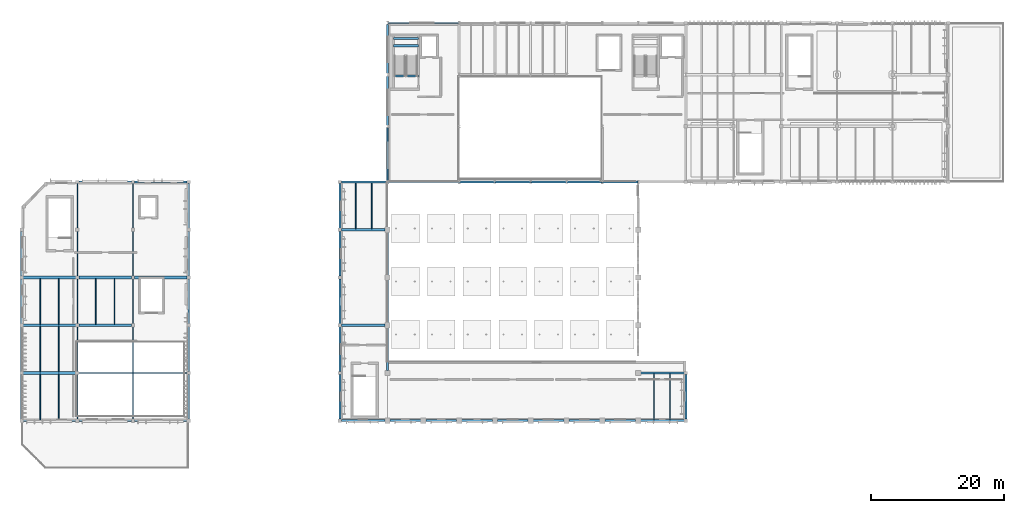
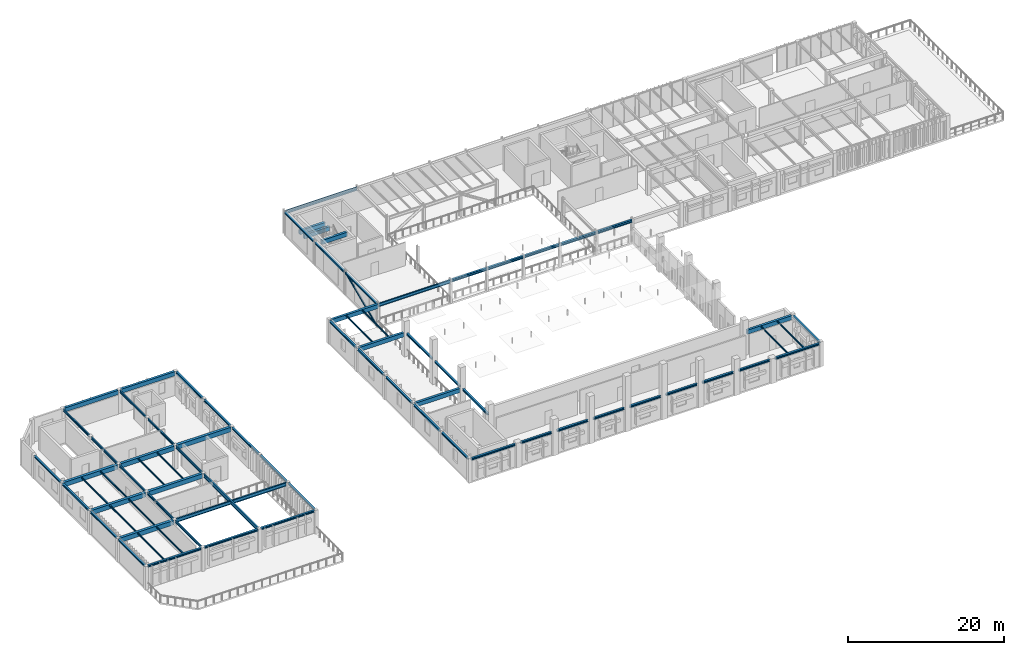
# One storey, part 6 of 44: 77 beams, 1 member.
"""IFC4 building model written with IfcOpenShell, lengths in metres."""

from ifc_helpers import new_model, si_unit, direction, frame, origin, origin_2d, place, context, subcontext, project, spatial, rectangle, hollow_circle, i_section, extrude, material, material_profile, profile_set, type_object, element, save


model = new_model("IFC4")

# Units and contexts
model_context = context("Model", 3, precision=1e-05, world=origin(), true_north=direction((0.0, 1.0)))
body_context = subcontext(model_context, "Body", "Model", "MODEL_VIEW")
ifc_project = project(units=[si_unit("LENGTHUNIT", "METRE"), si_unit("AREAUNIT", "SQUARE_METRE"), si_unit("VOLUMEUNIT", "CUBIC_METRE"), si_unit("PLANEANGLEUNIT", "RADIAN"), si_unit("MASSUNIT", "GRAM", prefix="KILO")], contexts=[model_context])

# Site, building, storey
site_placement = place(None, origin())
site = spatial("IfcSite", under=ifc_project, at=site_placement, CompositionType="ELEMENT")
building_placement = place(site_placement, origin())
building = spatial("IfcBuilding", under=site, at=building_placement, Name="Tazoul Stagehouse", CompositionType="ELEMENT")
storey_placement = place(building_placement, frame((0.0, 0.0, 13.199951171875)))
storey = spatial("IfcBuildingStorey", under=building, at=storey_placement, Name="L03", CompositionType="ELEMENT", Elevation=13.199951171875)

# Member
ifc_material_1 = material(Name="Steel S355", Category="steel")
ifc_material_profile_1 = material_profile(ifc_material_1, hollow_circle(Radius=0.136474609375, WallThickness=0.010009765625, at=origin_2d()), Name="CHS 273x10")
ifc_profile_set_1 = profile_set([ifc_material_profile_1], Name="Steel S355")
member_type = type_object("IfcMemberType", Name="Fly-Tower Diagonal Brace CHS 273x10 (Exterior)", PredefinedType="BRACE", material=ifc_profile_set_1)
member_placement = place(storey_placement, frame((57.60009765625, 87.919921875, 0.050048828125), z_axis=(0.0, 0.91797032685, 0.396649062804), x_axis=(-1.0, 0.0, 0.0)))
element("IfcMember", 1, at=member_placement, inside=storey, type_object=member_type, Name="L03 Concentric Brace BR-01E (BR-FT-L03-W1)", PredefinedType="BRACE", context=body_context, shape_type="SweptSolid", body=[
    extrude(hollow_circle(Radius=0.136474609375, WallThickness=0.010009765625, at=origin_2d()), origin(), (0.0, 0.0, 1.0), 8.823974609375),
])

# Beams
ifc_material_2 = material(Name="Concrete C40/50", Category="concrete")
ifc_material_profile_2 = material_profile(ifc_material_2, rectangle(XDim=0.35009765625, YDim=0.64990234375, at=origin_2d()), Name="RC 350x650")
ifc_profile_set_2 = profile_set([ifc_material_profile_2], Name="Concrete C40/50")
beam_type_1 = type_object("IfcBeamType", Name="RC Perimeter Spandrel 350x650 (Exterior)", PredefinedType="SPANDREL", material=ifc_profile_set_2)
beam_1_placement = place(storey_placement, frame((11.02490234375, 87.800048828125, 3.3330078125), z_axis=(1.0, 0.0, 0.0), x_axis=(0.0, 1.0, 0.0)))
element("IfcBeam", 2, at=beam_1_placement, inside=storey, type_object=beam_type_1, Name="L03 Beam SP-01E N/2-3", PredefinedType="SPANDREL", context=body_context, shape_type="SweptSolid", body=[
    extrude(rectangle(XDim=0.35009765625, YDim=0.64990234375, at=origin_2d()), origin(), (0.0, 0.0, 1.0), 7.9501953125),
])
beam_2_placement = place(storey_placement, frame((19.425048828125, 87.800048828125, 3.3330078125), z_axis=(1.0, 0.0, 0.0), x_axis=(0.0, 1.0, 0.0)))
element("IfcBeam", 3, at=beam_2_placement, inside=storey, type_object=beam_type_1, Name="L03 Beam SP-01E N/3-4", PredefinedType="SPANDREL", context=body_context, shape_type="SweptSolid", body=[
    extrude(rectangle(XDim=0.35009765625, YDim=0.64990234375, at=origin_2d()), origin(), (0.0, 0.0, 1.0), 7.949951171875),
])
beam_3_placement = place(storey_placement, frame((50.625, 87.800048828125, 3.322998046875), z_axis=(1.0, 0.0, 0.0), x_axis=(0.0, 1.0, 0.0)))
element("IfcBeam", 4, at=beam_3_placement, inside=storey, type_object=beam_type_1, Name="L03 Beam SP-01E N/7-8", PredefinedType="SPANDREL", context=body_context, shape_type="SweptSolid", body=[
    extrude(rectangle(XDim=0.35009765625, YDim=0.64990234375, at=origin_2d()), origin(), (0.0, 0.0, 1.0), 6.965087890625),
])
ifc_material_profile_3 = material_profile(ifc_material_2, rectangle(XDim=0.35009765625, YDim=0.64990234375, at=origin_2d()), Name="RC 350x650")
ifc_profile_set_3 = profile_set([ifc_material_profile_3], Name="Concrete C40/50")
beam_type_2 = type_object("IfcBeamType", Name="RC Primary Girder 350x650", PredefinedType="BEAM", material=ifc_profile_set_3)
for number, where, z_axis, x_axis, name in (
    (5, (95.77490234375, 59.0, 3.3330078125), (1.0, 0.0, 0.0), (0.0, 1.0, 0.0), "L03 Beam BM-01 J/15-16"),
    (6, (50.625, 66.199951171875, 3.3330078125), (1.0, 0.0, 0.0), (0.0, 1.0, 0.0), "L03 Beam BM-01 K/7-8"),
    (7, (50.625, 80.60009765625, 3.3330078125), (1.0, 0.0, 0.0), (0.0, 1.0, 0.0), "L03 Beam BM-01 M/7-8"),
):
    element("IfcBeam", number, at=place(storey_placement, frame(where, z_axis=z_axis, x_axis=x_axis)), inside=storey, type_object=beam_type_2, Name=name, PredefinedType="BEAM", context=body_context, shape_type="SweptSolid", body=[
        extrude(rectangle(XDim=0.35009765625, YDim=0.64990234375, at=origin_2d()), origin(), (0.0, 0.0, 1.0), 6.60009765625),
    ])
for number, where, z_axis, x_axis, name in (
    (8, (58.469970703125, 108.35009765625, 1.429931640625), (1.0, 0.0, 0.0), (0.0, 1.0, 0.0), "L03 Stair Half-Landing Trimmer BM-01 (ST-03-1)"),
    (9, (58.469970703125, 109.449951171875, 1.429931640625), (1.0, 0.0, 0.0), (0.0, 1.0, 0.0), "L03 Stair Half-Landing Trimmer BM-01 (ST-03-2)"),
    (10, (58.469970703125, 103.800048828125, 3.324951171875), (1.0, 0.0, 0.0), (0.0, 1.0, 0.0), "L03 Stair Landing Trimmer BM-01 (ST-03-FL)"),
):
    element("IfcBeam", number, at=place(storey_placement, frame(where, z_axis=z_axis, x_axis=x_axis)), inside=storey, type_object=beam_type_2, Name=name, PredefinedType="BEAM", context=body_context, shape_type="SweptSolid", body=[
        extrude(rectangle(XDim=0.35009765625, YDim=0.64990234375, at=origin_2d()), origin(), (0.0, 0.0, 1.0), 3.81005859375),
    ])
ifc_material_profile_4 = material_profile(ifc_material_2, rectangle(XDim=0.39990234375, YDim=0.699951171875, at=origin_2d()), Name="RC 400x700")
ifc_profile_set_4 = profile_set([ifc_material_profile_4], Name="Concrete C40/50")
beam_type_3 = type_object("IfcBeamType", Name="RC Primary Girder 400x700", PredefinedType="BEAM", material=ifc_profile_set_4)
for number, where, z_axis, x_axis, name in (
    (11, (2.625, 59.0, 3.30810546875), (1.0, 0.0, 0.0), (0.0, 1.0, 0.0), "L03 Beam BM-02 J/1-2"),
    (12, (2.625, 66.199951171875, 3.30810546875), (1.0, 0.0, 0.0), (0.0, 1.0, 0.0), "L03 Beam BM-02 K/1-2"),
):
    element("IfcBeam", number, at=place(storey_placement, frame(where, z_axis=z_axis, x_axis=x_axis)), inside=storey, type_object=beam_type_3, Name=name, PredefinedType="BEAM", context=body_context, shape_type="SweptSolid", body=[
        extrude(rectangle(XDim=0.39990234375, YDim=0.699951171875, at=origin_2d()), origin(), (0.0, 0.0, 1.0), 7.949951171875),
    ])
beam_4_placement = place(storey_placement, frame((11.02490234375, 66.199951171875, 3.30810546875), z_axis=(1.0, 0.0, 0.0), x_axis=(0.0, 1.0, 0.0)))
element("IfcBeam", 13, at=beam_4_placement, inside=storey, type_object=beam_type_3, Name="L03 Beam BM-02 K/2-3", PredefinedType="BEAM", context=body_context, shape_type="SweptSolid", body=[
    extrude(rectangle(XDim=0.39990234375, YDim=0.699951171875, at=origin_2d()), origin(), (0.0, 0.0, 1.0), 7.9501953125),
])
beam_5_placement = place(storey_placement, frame((2.625, 73.39990234375, 3.30810546875), z_axis=(1.0, 0.0, 0.0), x_axis=(0.0, 1.0, 0.0)))
element("IfcBeam", 14, at=beam_5_placement, inside=storey, type_object=beam_type_3, Name="L03 Beam BM-02 L/1-2", PredefinedType="BEAM", context=body_context, shape_type="SweptSolid", body=[
    extrude(rectangle(XDim=0.39990234375, YDim=0.699951171875, at=origin_2d()), origin(), (0.0, 0.0, 1.0), 7.949951171875),
])
beam_6_placement = place(storey_placement, frame((11.02490234375, 73.39990234375, 3.30810546875), z_axis=(1.0, 0.0, 0.0), x_axis=(0.0, 1.0, 0.0)))
element("IfcBeam", 15, at=beam_6_placement, inside=storey, type_object=beam_type_3, Name="L03 Beam BM-02 L/2-3", PredefinedType="BEAM", context=body_context, shape_type="SweptSolid", body=[
    extrude(rectangle(XDim=0.39990234375, YDim=0.699951171875, at=origin_2d()), origin(), (0.0, 0.0, 1.0), 7.9501953125),
])
beam_7_placement = place(storey_placement, frame((19.425048828125, 73.39990234375, 3.30810546875), z_axis=(1.0, 0.0, 0.0), x_axis=(0.0, 1.0, 0.0)))
element("IfcBeam", 16, at=beam_7_placement, inside=storey, type_object=beam_type_3, Name="L03 Beam BM-02 L/3-4", PredefinedType="BEAM", context=body_context, shape_type="SweptSolid", body=[
    extrude(rectangle(XDim=0.39990234375, YDim=0.699951171875, at=origin_2d()), origin(), (0.0, 0.0, 1.0), 7.949951171875),
])
ifc_material_profile_5 = material_profile(ifc_material_1, i_section(OverallWidth=0.300048828125, OverallDepth=0.2900390625, WebThickness=0.008544921875, FlangeThickness=0.013916015625, FilletRadius=0.027099609375, at=origin_2d()), Name="HEA 300")
ifc_profile_set_5 = profile_set([ifc_material_profile_5], Name="Steel S355")
beam_type_4 = type_object("IfcBeamType", Name="Steel Crescent Spandrel HEA 300 (Exterior)", PredefinedType="SPANDREL", material=ifc_profile_set_5)
beam_8_placement = place(storey_placement, frame((2.625, 51.800048828125, 3.512939453125), z_axis=(1.0, 0.0, 0.0), x_axis=(0.0, 1.0, 0.0)))
element("IfcBeam", 17, at=beam_8_placement, inside=storey, type_object=beam_type_4, Name="L03 Beam SP-03E H/1-2", PredefinedType="SPANDREL", context=body_context, shape_type="SweptSolid", body=[
    extrude(i_section(OverallWidth=0.300048828125, OverallDepth=0.2900390625, WebThickness=0.008544921875, FlangeThickness=0.013916015625, FilletRadius=0.027099609375, at=origin_2d()), origin(), (0.0, 0.0, 1.0), 7.949951171875),
])
beam_9_placement = place(storey_placement, frame((11.02490234375, 51.800048828125, 3.512939453125), z_axis=(1.0, 0.0, 0.0), x_axis=(0.0, 1.0, 0.0)))
element("IfcBeam", 18, at=beam_9_placement, inside=storey, type_object=beam_type_4, Name="L03 Beam SP-03E H/2-3", PredefinedType="SPANDREL", context=body_context, shape_type="SweptSolid", body=[
    extrude(i_section(OverallWidth=0.300048828125, OverallDepth=0.2900390625, WebThickness=0.008544921875, FlangeThickness=0.013916015625, FilletRadius=0.027099609375, at=origin_2d()), origin(), (0.0, 0.0, 1.0), 7.9501953125),
])
beam_10_placement = place(storey_placement, frame((19.425048828125, 51.800048828125, 3.512939453125), z_axis=(1.0, 0.0, 0.0), x_axis=(0.0, 1.0, 0.0)))
element("IfcBeam", 19, at=beam_10_placement, inside=storey, type_object=beam_type_4, Name="L03 Beam SP-03E H/3-4", PredefinedType="SPANDREL", context=body_context, shape_type="SweptSolid", body=[
    extrude(i_section(OverallWidth=0.300048828125, OverallDepth=0.2900390625, WebThickness=0.008544921875, FlangeThickness=0.013916015625, FilletRadius=0.027099609375, at=origin_2d()), origin(), (0.0, 0.0, 1.0), 7.949951171875),
])
beam_11_placement = place(storey_placement, frame((50.625, 51.800048828125, 3.512939453125), z_axis=(1.0, 0.0, 0.0), x_axis=(0.0, 1.0, 0.0)))
element("IfcBeam", 20, at=beam_11_placement, inside=storey, type_object=beam_type_4, Name="L03 Beam SP-03E H/7-8", PredefinedType="SPANDREL", context=body_context, shape_type="SweptSolid", body=[
    extrude(i_section(OverallWidth=0.300048828125, OverallDepth=0.2900390625, WebThickness=0.008544921875, FlangeThickness=0.013916015625, FilletRadius=0.027099609375, at=origin_2d()), origin(), (0.0, 0.0, 1.0), 6.60009765625),
])
for number, where, z_axis, x_axis, name in (
    (21, (57.97509765625, 51.800048828125, 3.512939453125), (1.0, 0.0, 0.0), (0.0, 1.0, 0.0), "L03 Beam SP-03E H/8-9"),
    (22, (63.375, 51.800048828125, 3.512939453125), (1.0, 0.0, 0.0), (0.0, 1.0, 0.0), "L03 Beam SP-03E H/9-10"),
):
    element("IfcBeam", number, at=place(storey_placement, frame(where, z_axis=z_axis, x_axis=x_axis)), inside=storey, type_object=beam_type_4, Name=name, PredefinedType="SPANDREL", context=body_context, shape_type="SweptSolid", body=[
        extrude(i_section(OverallWidth=0.300048828125, OverallDepth=0.2900390625, WebThickness=0.008544921875, FlangeThickness=0.013916015625, FilletRadius=0.027099609375, at=origin_2d()), origin(), (0.0, 0.0, 1.0), 4.64990234375),
    ])
beam_12_placement = place(storey_placement, frame((68.77490234375, 51.800048828125, 3.512939453125), z_axis=(1.0, 0.0, 0.0), x_axis=(0.0, 1.0, 0.0)))
element("IfcBeam", 23, at=beam_12_placement, inside=storey, type_object=beam_type_4, Name="L03 Beam SP-03E H/10-11", PredefinedType="SPANDREL", context=body_context, shape_type="SweptSolid", body=[
    extrude(i_section(OverallWidth=0.300048828125, OverallDepth=0.2900390625, WebThickness=0.008544921875, FlangeThickness=0.013916015625, FilletRadius=0.027099609375, at=origin_2d()), origin(), (0.0, 0.0, 1.0), 4.650146484375),
])
beam_13_placement = place(storey_placement, frame((74.175048828125, 51.800048828125, 3.512939453125), z_axis=(1.0, 0.0, 0.0), x_axis=(0.0, 1.0, 0.0)))
element("IfcBeam", 24, at=beam_13_placement, inside=storey, type_object=beam_type_4, Name="L03 Beam SP-03E H/11-12", PredefinedType="SPANDREL", context=body_context, shape_type="SweptSolid", body=[
    extrude(i_section(OverallWidth=0.300048828125, OverallDepth=0.2900390625, WebThickness=0.008544921875, FlangeThickness=0.013916015625, FilletRadius=0.027099609375, at=origin_2d()), origin(), (0.0, 0.0, 1.0), 4.64990234375),
])
beam_14_placement = place(storey_placement, frame((79.574951171875, 51.800048828125, 3.512939453125), z_axis=(1.0, 0.0, 0.0), x_axis=(0.0, 1.0, 0.0)))
element("IfcBeam", 25, at=beam_14_placement, inside=storey, type_object=beam_type_4, Name="L03 Beam SP-03E H/12-13", PredefinedType="SPANDREL", context=body_context, shape_type="SweptSolid", body=[
    extrude(i_section(OverallWidth=0.300048828125, OverallDepth=0.2900390625, WebThickness=0.008544921875, FlangeThickness=0.013916015625, FilletRadius=0.027099609375, at=origin_2d()), origin(), (0.0, 0.0, 1.0), 4.650146484375),
])
for number, where, z_axis, x_axis, name in (
    (26, (84.97509765625, 51.800048828125, 3.512939453125), (1.0, 0.0, 0.0), (0.0, 1.0, 0.0), "L03 Beam SP-03E H/13-14"),
    (27, (90.375, 51.800048828125, 3.512939453125), (1.0, 0.0, 0.0), (0.0, 1.0, 0.0), "L03 Beam SP-03E H/14-15"),
):
    element("IfcBeam", number, at=place(storey_placement, frame(where, z_axis=z_axis, x_axis=x_axis)), inside=storey, type_object=beam_type_4, Name=name, PredefinedType="SPANDREL", context=body_context, shape_type="SweptSolid", body=[
        extrude(i_section(OverallWidth=0.300048828125, OverallDepth=0.2900390625, WebThickness=0.008544921875, FlangeThickness=0.013916015625, FilletRadius=0.027099609375, at=origin_2d()), origin(), (0.0, 0.0, 1.0), 4.64990234375),
    ])
beam_15_placement = place(storey_placement, frame((95.77490234375, 51.800048828125, 3.512939453125), z_axis=(1.0, 0.0, 0.0), x_axis=(0.0, 1.0, 0.0)))
element("IfcBeam", 28, at=beam_15_placement, inside=storey, type_object=beam_type_4, Name="L03 Beam SP-03E H/15-16", PredefinedType="SPANDREL", context=body_context, shape_type="SweptSolid", body=[
    extrude(i_section(OverallWidth=0.300048828125, OverallDepth=0.2900390625, WebThickness=0.008544921875, FlangeThickness=0.013916015625, FilletRadius=0.027099609375, at=origin_2d()), origin(), (0.0, 0.0, 1.0), 6.60009765625),
])
ifc_material_profile_6 = material_profile(ifc_material_1, i_section(OverallWidth=0.280029296875, OverallDepth=0.27001953125, WebThickness=0.008056640625, FlangeThickness=0.012939453125, FilletRadius=0.02392578125, at=origin_2d()), Name="HEA 280")
ifc_profile_set_6 = profile_set([ifc_material_profile_6], Name="Steel S355")
beam_type_5 = type_object("IfcBeamType", Name="Steel Facade Spandrel HEA 280", PredefinedType="SPANDREL", material=ifc_profile_set_6)
for number, where, z_axis, x_axis, name in (
    (29, (57.60009765625, 59.375, 3.52294921875), (0.0, 1.0, 0.0), (-1.0, 0.0, 0.0), "L03 Beam SP-02 8/J-K"),
    (30, (57.60009765625, 66.574951171875, 3.52294921875), (0.0, 1.0, 0.0), (-1.0, 0.0, 0.0), "L03 Beam SP-02 8/K-L"),
):
    element("IfcBeam", number, at=place(storey_placement, frame(where, z_axis=z_axis, x_axis=x_axis)), inside=storey, type_object=beam_type_5, Name=name, PredefinedType="SPANDREL", context=body_context, shape_type="SweptSolid", body=[
        extrude(i_section(OverallWidth=0.280029296875, OverallDepth=0.27001953125, WebThickness=0.008056640625, FlangeThickness=0.012939453125, FilletRadius=0.02392578125, at=origin_2d()), origin(), (0.0, 0.0, 1.0), 6.449951171875),
    ])
beam_16_placement = place(storey_placement, frame((57.60009765625, 73.77490234375, 3.52294921875), z_axis=(0.0, 1.0, 0.0), x_axis=(-1.0, 0.0, 0.0)))
element("IfcBeam", 31, at=beam_16_placement, inside=storey, type_object=beam_type_5, Name="L03 Beam SP-02 8/L-M", PredefinedType="SPANDREL", context=body_context, shape_type="SweptSolid", body=[
    extrude(i_section(OverallWidth=0.280029296875, OverallDepth=0.27001953125, WebThickness=0.008056640625, FlangeThickness=0.012939453125, FilletRadius=0.02392578125, at=origin_2d()), origin(), (0.0, 0.0, 1.0), 6.4501953125),
])
ifc_material_profile_7 = material_profile(ifc_material_1, i_section(OverallWidth=0.280029296875, OverallDepth=0.27001953125, WebThickness=0.008056640625, FlangeThickness=0.012939453125, FilletRadius=0.02392578125, at=origin_2d()), Name="HEA 280")
ifc_profile_set_7 = profile_set([ifc_material_profile_7], Name="Steel S355")
beam_type_6 = type_object("IfcBeamType", Name="Steel Facade Spandrel HEA 280 (Exterior)", PredefinedType="SPANDREL", material=ifc_profile_set_7)
for number, where, z_axis, x_axis, name in (
    (32, (2.39990234375, 52.02490234375, 3.52294921875), (0.0, 1.0, 0.0), (-1.0, 0.0, 0.0), "L03 Beam SP-02E 1/H-J"),
    (33, (2.39990234375, 59.22509765625, 3.52294921875), (0.0, 1.0, 0.0), (-1.0, 0.0, 0.0), "L03 Beam SP-02E 1/J-K"),
    (34, (2.39990234375, 66.425048828125, 3.52294921875), (0.0, 1.0, 0.0), (-1.0, 0.0, 0.0), "L03 Beam SP-02E 1/K-L"),
    (35, (2.39990234375, 73.625, 3.52294921875), (0.0, 1.0, 0.0), (-1.0, 0.0, 0.0), "L03 Beam SP-02E 1/L-M"),
    (36, (27.60009765625, 52.02490234375, 3.52294921875), (0.0, 1.0, 0.0), (-1.0, 0.0, 0.0), "L03 Beam SP-02E 4/H-J"),
    (37, (27.60009765625, 59.22509765625, 3.52294921875), (0.0, 1.0, 0.0), (-1.0, 0.0, 0.0), "L03 Beam SP-02E 4/J-K"),
    (38, (27.60009765625, 66.425048828125, 3.52294921875), (0.0, 1.0, 0.0), (-1.0, 0.0, 0.0), "L03 Beam SP-02E 4/K-L"),
    (39, (27.60009765625, 73.625, 3.52294921875), (0.0, 1.0, 0.0), (-1.0, 0.0, 0.0), "L03 Beam SP-02E 4/L-M"),
    (40, (27.60009765625, 80.824951171875, 3.52294921875), (0.0, 1.0, 0.0), (-1.0, 0.0, 0.0), "L03 Beam SP-02E 4/M-N"),
    (41, (50.39990234375, 52.02490234375, 3.52294921875), (0.0, 1.0, 0.0), (-1.0, 0.0, 0.0), "L03 Beam SP-02E 7/H-J"),
    (42, (50.39990234375, 59.22509765625, 3.52294921875), (0.0, 1.0, 0.0), (-1.0, 0.0, 0.0), "L03 Beam SP-02E 7/J-K"),
    (43, (50.39990234375, 66.425048828125, 3.52294921875), (0.0, 1.0, 0.0), (-1.0, 0.0, 0.0), "L03 Beam SP-02E 7/K-L"),
    (44, (50.39990234375, 73.625, 3.52294921875), (0.0, 1.0, 0.0), (-1.0, 0.0, 0.0), "L03 Beam SP-02E 7/L-M"),
    (45, (50.39990234375, 80.824951171875, 3.52294921875), (0.0, 1.0, 0.0), (-1.0, 0.0, 0.0), "L03 Beam SP-02E 7/M-N"),
):
    element("IfcBeam", number, at=place(storey_placement, frame(where, z_axis=z_axis, x_axis=x_axis)), inside=storey, type_object=beam_type_6, Name=name, PredefinedType="SPANDREL", context=body_context, shape_type="SweptSolid", body=[
        extrude(i_section(OverallWidth=0.280029296875, OverallDepth=0.27001953125, WebThickness=0.008056640625, FlangeThickness=0.012939453125, FilletRadius=0.02392578125, at=origin_2d()), origin(), (0.0, 0.0, 1.0), 6.75),
    ])
beam_17_placement = place(storey_placement, frame((57.60009765625, 88.0, 3.512939453125), z_axis=(0.0, 1.0, 0.0), x_axis=(-1.0, 0.0, 0.0)))
element("IfcBeam", 46, at=beam_17_placement, inside=storey, type_object=beam_type_6, Name="L03 Beam SP-02E 8/N-P", PredefinedType="SPANDREL", context=body_context, shape_type="SweptSolid", body=[
    extrude(i_section(OverallWidth=0.280029296875, OverallDepth=0.27001953125, WebThickness=0.008056640625, FlangeThickness=0.012939453125, FilletRadius=0.02392578125, at=origin_2d()), origin(), (0.0, 0.0, 1.0), 8.044921875),
])
beam_18_placement = place(storey_placement, frame((57.60009765625, 96.35498046875, 3.512939453125), z_axis=(0.0, 1.0, 0.0), x_axis=(-1.0, 0.0, 0.0)))
element("IfcBeam", 47, at=beam_18_placement, inside=storey, type_object=beam_type_6, Name="L03 Beam SP-02E 8/P-Q", PredefinedType="SPANDREL", context=body_context, shape_type="SweptSolid", body=[
    extrude(i_section(OverallWidth=0.280029296875, OverallDepth=0.27001953125, WebThickness=0.008056640625, FlangeThickness=0.012939453125, FilletRadius=0.02392578125, at=origin_2d()), origin(), (0.0, 0.0, 1.0), 7.445068359375),
])
beam_19_placement = place(storey_placement, frame((57.60009765625, 104.199951171875, 3.512939453125), z_axis=(0.0, 1.0, 0.0), x_axis=(-1.0, 0.0, 0.0)))
element("IfcBeam", 48, at=beam_19_placement, inside=storey, type_object=beam_type_6, Name="L03 Beam SP-02E 8/Q-R", PredefinedType="SPANDREL", context=body_context, shape_type="SweptSolid", body=[
    extrude(i_section(OverallWidth=0.280029296875, OverallDepth=0.27001953125, WebThickness=0.008056640625, FlangeThickness=0.012939453125, FilletRadius=0.02392578125, at=origin_2d()), origin(), (0.0, 0.0, 1.0), 7.400146484375),
])
beam_20_placement = place(storey_placement, frame((102.60009765625, 52.02490234375, 3.52294921875), z_axis=(0.0, 1.0, 0.0), x_axis=(-1.0, 0.0, 0.0)))
element("IfcBeam", 49, at=beam_20_placement, inside=storey, type_object=beam_type_6, Name="L03 Beam SP-02E 16/H-J", PredefinedType="SPANDREL", context=body_context, shape_type="SweptSolid", body=[
    extrude(i_section(OverallWidth=0.280029296875, OverallDepth=0.27001953125, WebThickness=0.008056640625, FlangeThickness=0.012939453125, FilletRadius=0.02392578125, at=origin_2d()), origin(), (0.0, 0.0, 1.0), 6.75),
])
ifc_material_profile_8 = material_profile(ifc_material_1, i_section(OverallWidth=0.1201171875, OverallDepth=0.239990234375, WebThickness=0.006103515625, FlangeThickness=0.009765625, FilletRadius=0.014892578125, at=origin_2d()), Name="IPE 240")
ifc_profile_set_8 = profile_set([ifc_material_profile_8], Name="Steel S355")
beam_type_7 = type_object("IfcBeamType", Name="Steel Floor Joist IPE 240", PredefinedType="JOIST", material=ifc_profile_set_8)
for number, where, z_axis, x_axis, name in (
    (50, (5.199951171875, 51.925048828125, 3.5380859375), (0.0, 1.0, 0.0), (-1.0, 0.0, 0.0), "L03 Joist JS-01 1/H-1"),
    (51, (8.0, 51.925048828125, 3.5380859375), (0.0, 1.0, 0.0), (-1.0, 0.0, 0.0), "L03 Joist JS-01 1/H-2"),
):
    element("IfcBeam", number, at=place(storey_placement, frame(where, z_axis=z_axis, x_axis=x_axis)), inside=storey, type_object=beam_type_7, Name=name, PredefinedType="JOIST", context=body_context, shape_type="SweptSolid", body=[
        extrude(i_section(OverallWidth=0.1201171875, OverallDepth=0.239990234375, WebThickness=0.006103515625, FlangeThickness=0.009765625, FilletRadius=0.014892578125, at=origin_2d()), origin(), (0.0, 0.0, 1.0), 6.89990234375),
    ])
for number, where, z_axis, x_axis, name in (
    (52, (97.800048828125, 51.925048828125, 3.5380859375), (0.0, 1.0, 0.0), (-1.0, 0.0, 0.0), "L03 Joist JS-01 15/H-1"),
    (53, (100.199951171875, 51.925048828125, 3.5380859375), (0.0, 1.0, 0.0), (-1.0, 0.0, 0.0), "L03 Joist JS-01 15/H-2"),
):
    element("IfcBeam", number, at=place(storey_placement, frame(where, z_axis=z_axis, x_axis=x_axis)), inside=storey, type_object=beam_type_7, Name=name, PredefinedType="JOIST", context=body_context, shape_type="SweptSolid", body=[
        extrude(i_section(OverallWidth=0.1201171875, OverallDepth=0.239990234375, WebThickness=0.006103515625, FlangeThickness=0.009765625, FilletRadius=0.014892578125, at=origin_2d()), origin(), (0.0, 0.0, 1.0), 6.925048828125),
    ])
for number, where, z_axis, x_axis, name in (
    (54, (5.199951171875, 59.175048828125, 3.5380859375), (0.0, 1.0, 0.0), (-1.0, 0.0, 0.0), "L03 Joist JS-01 1/J-1"),
    (55, (8.0, 59.175048828125, 3.5380859375), (0.0, 1.0, 0.0), (-1.0, 0.0, 0.0), "L03 Joist JS-01 1/J-2"),
):
    element("IfcBeam", number, at=place(storey_placement, frame(where, z_axis=z_axis, x_axis=x_axis)), inside=storey, type_object=beam_type_7, Name=name, PredefinedType="JOIST", context=body_context, shape_type="SweptSolid", body=[
        extrude(i_section(OverallWidth=0.1201171875, OverallDepth=0.239990234375, WebThickness=0.006103515625, FlangeThickness=0.009765625, FilletRadius=0.014892578125, at=origin_2d()), origin(), (0.0, 0.0, 1.0), 6.849853515625),
    ])
for number, where, z_axis, x_axis, name in (
    (56, (5.199951171875, 66.375, 3.5380859375), (0.0, 1.0, 0.0), (-1.0, 0.0, 0.0), "L03 Joist JS-01 1/K-1"),
    (57, (8.0, 66.375, 3.5380859375), (0.0, 1.0, 0.0), (-1.0, 0.0, 0.0), "L03 Joist JS-01 1/K-2"),
    (58, (13.60009765625, 66.375, 3.5380859375), (0.0, 1.0, 0.0), (-1.0, 0.0, 0.0), "L03 Joist JS-01 2/K-1"),
    (59, (16.39990234375, 66.375, 3.5380859375), (0.0, 1.0, 0.0), (-1.0, 0.0, 0.0), "L03 Joist JS-01 2/K-2"),
):
    element("IfcBeam", number, at=place(storey_placement, frame(where, z_axis=z_axis, x_axis=x_axis)), inside=storey, type_object=beam_type_7, Name=name, PredefinedType="JOIST", context=body_context, shape_type="SweptSolid", body=[
        extrude(i_section(OverallWidth=0.1201171875, OverallDepth=0.239990234375, WebThickness=0.006103515625, FlangeThickness=0.009765625, FilletRadius=0.014892578125, at=origin_2d()), origin(), (0.0, 0.0, 1.0), 6.85009765625),
    ])
for number, where, z_axis, x_axis, name in (
    (60, (52.800048828125, 80.75, 3.5380859375), (0.0, 1.0, 0.0), (-1.0, 0.0, 0.0), "L03 Joist JS-01 7/M-1"),
    (61, (55.199951171875, 80.75, 3.5380859375), (0.0, 1.0, 0.0), (-1.0, 0.0, 0.0), "L03 Joist JS-01 7/M-2"),
):
    element("IfcBeam", number, at=place(storey_placement, frame(where, z_axis=z_axis, x_axis=x_axis)), inside=storey, type_object=beam_type_7, Name=name, PredefinedType="JOIST", context=body_context, shape_type="SweptSolid", body=[
        extrude(i_section(OverallWidth=0.1201171875, OverallDepth=0.239990234375, WebThickness=0.006103515625, FlangeThickness=0.009765625, FilletRadius=0.014892578125, at=origin_2d()), origin(), (0.0, 0.0, 1.0), 6.89990234375),
    ])
ifc_material_profile_9 = material_profile(ifc_material_1, i_section(OverallWidth=0.300048828125, OverallDepth=0.389892578125, WebThickness=0.010986328125, FlangeThickness=0.01904296875, FilletRadius=0.027099609375, at=origin_2d()), Name="HEA 400")
ifc_profile_set_9 = profile_set([ifc_material_profile_9], Name="Steel S355")
beam_type_8 = type_object("IfcBeamType", Name="Steel Fly-Tower Spandrel HEA 400", PredefinedType="SPANDREL", material=ifc_profile_set_9)
beam_21_placement = place(storey_placement, frame((68.409912109375, 87.800048828125, 3.453125), z_axis=(1.0, 0.0, 0.0), x_axis=(0.0, 1.0, 0.0)))
element("IfcBeam", 62, at=beam_21_placement, inside=storey, type_object=beam_type_8, Name="L03 Beam SP-04 N/10-11", PredefinedType="SPANDREL", context=body_context, shape_type="SweptSolid", body=[
    extrude(i_section(OverallWidth=0.300048828125, OverallDepth=0.389892578125, WebThickness=0.010986328125, FlangeThickness=0.01904296875, FilletRadius=0.027099609375, at=origin_2d()), origin(), (0.0, 0.0, 1.0), 5.380126953125),
])
beam_22_placement = place(storey_placement, frame((73.81005859375, 87.800048828125, 3.453125), z_axis=(1.0, 0.0, 0.0), x_axis=(0.0, 1.0, 0.0)))
element("IfcBeam", 63, at=beam_22_placement, inside=storey, type_object=beam_type_8, Name="L03 Beam SP-04 N/11-12", PredefinedType="SPANDREL", context=body_context, shape_type="SweptSolid", body=[
    extrude(i_section(OverallWidth=0.300048828125, OverallDepth=0.389892578125, WebThickness=0.010986328125, FlangeThickness=0.01904296875, FilletRadius=0.027099609375, at=origin_2d()), origin(), (0.0, 0.0, 1.0), 5.3798828125),
])
beam_23_placement = place(storey_placement, frame((79.2099609375, 87.800048828125, 3.453125), z_axis=(1.0, 0.0, 0.0), x_axis=(0.0, 1.0, 0.0)))
element("IfcBeam", 64, at=beam_23_placement, inside=storey, type_object=beam_type_8, Name="L03 Beam SP-04 N/12-13", PredefinedType="SPANDREL", context=body_context, shape_type="SweptSolid", body=[
    extrude(i_section(OverallWidth=0.300048828125, OverallDepth=0.389892578125, WebThickness=0.010986328125, FlangeThickness=0.01904296875, FilletRadius=0.027099609375, at=origin_2d()), origin(), (0.0, 0.0, 1.0), 5.380126953125),
])
for number, where, z_axis, x_axis, name in (
    (65, (84.610107421875, 87.800048828125, 3.453125), (1.0, 0.0, 0.0), (0.0, 1.0, 0.0), "L03 Beam SP-04 N/13-14"),
    (66, (90.010009765625, 87.800048828125, 3.453125), (1.0, 0.0, 0.0), (0.0, 1.0, 0.0), "L03 Beam SP-04 N/14-15"),
):
    element("IfcBeam", number, at=place(storey_placement, frame(where, z_axis=z_axis, x_axis=x_axis)), inside=storey, type_object=beam_type_8, Name=name, PredefinedType="SPANDREL", context=body_context, shape_type="SweptSolid", body=[
        extrude(i_section(OverallWidth=0.300048828125, OverallDepth=0.389892578125, WebThickness=0.010986328125, FlangeThickness=0.01904296875, FilletRadius=0.027099609375, at=origin_2d()), origin(), (0.0, 0.0, 1.0), 5.3798828125),
    ])
ifc_material_profile_10 = material_profile(ifc_material_1, i_section(OverallWidth=0.2099609375, OverallDepth=0.550048828125, WebThickness=0.010986328125, FlangeThickness=0.01708984375, FilletRadius=0.02392578125, at=origin_2d()), Name="IPE 550")
ifc_profile_set_10 = profile_set([ifc_material_profile_10], Name="Steel S355")
beam_type_9 = type_object("IfcBeamType", Name="Steel Hall Girder IPE 550", PredefinedType="BEAM", material=ifc_profile_set_10)
beam_24_placement = place(storey_placement, frame((11.02490234375, 59.0, 3.383056640625), z_axis=(1.0, 0.0, 0.0), x_axis=(0.0, 1.0, 0.0)))
element("IfcBeam", 67, at=beam_24_placement, inside=storey, type_object=beam_type_9, Name="L03 Beam SB-05 J/2-4", PredefinedType="BEAM", context=body_context, shape_type="SweptSolid", body=[
    extrude(i_section(OverallWidth=0.2099609375, OverallDepth=0.550048828125, WebThickness=0.010986328125, FlangeThickness=0.01708984375, FilletRadius=0.02392578125, at=origin_2d()), origin(), (0.0, 0.0, 1.0), 16.35009765625),
])
beam_25_placement = place(storey_placement, frame((19.199951171875, 52.02490234375, 3.383056640625), z_axis=(0.0, 1.0, 0.0), x_axis=(-1.0, 0.0, 0.0)))
element("IfcBeam", 68, at=beam_25_placement, inside=storey, type_object=beam_type_9, Name="L03 Beam SB-05 3/H-K", PredefinedType="BEAM", context=body_context, shape_type="SweptSolid", body=[
    extrude(i_section(OverallWidth=0.2099609375, OverallDepth=0.550048828125, WebThickness=0.010986328125, FlangeThickness=0.01708984375, FilletRadius=0.02392578125, at=origin_2d()), origin(), (0.0, 0.0, 1.0), 13.9501953125),
])
ifc_material_profile_11 = material_profile(ifc_material_1, i_section(OverallWidth=0.199951171875, OverallDepth=0.5, WebThickness=0.01025390625, FlangeThickness=0.01611328125, FilletRadius=0.02099609375, at=origin_2d()), Name="IPE 500")
ifc_profile_set_11 = profile_set([ifc_material_profile_11], Name="Steel S355")
beam_type_10 = type_object("IfcBeamType", Name="Steel Long-Span Girder IPE 500", PredefinedType="BEAM", material=ifc_profile_set_11)
beam_26_placement = place(storey_placement, frame((57.610107421875, 87.800048828125, 3.39794921875), z_axis=(1.0, 0.0, 0.0), x_axis=(0.0, 1.0, 0.0)))
element("IfcBeam", 69, at=beam_26_placement, inside=storey, type_object=beam_type_10, Name="L03 Beam SB-04 N/8-10", PredefinedType="BEAM", context=body_context, shape_type="SweptSolid", body=[
    extrude(i_section(OverallWidth=0.199951171875, OverallDepth=0.5, WebThickness=0.01025390625, FlangeThickness=0.01611328125, FilletRadius=0.02099609375, at=origin_2d()), origin(), (0.0, 0.0, 1.0), 10.77978515625),
])
ifc_material_profile_12 = material_profile(ifc_material_1, i_section(OverallWidth=0.199951171875, OverallDepth=0.5, WebThickness=0.01025390625, FlangeThickness=0.01611328125, FilletRadius=0.02099609375, at=origin_2d()), Name="IPE 500")
ifc_profile_set_12 = profile_set([ifc_material_profile_12], Name="Steel S355")
beam_type_11 = type_object("IfcBeamType", Name="Steel Long-Span Girder IPE 500 (Exterior)", PredefinedType="BEAM", material=ifc_profile_set_12)
beam_27_placement = place(storey_placement, frame((57.610107421875, 111.800048828125, 3.39794921875), z_axis=(1.0, 0.0, 0.0), x_axis=(0.0, 1.0, 0.0)))
element("IfcBeam", 70, at=beam_27_placement, inside=storey, type_object=beam_type_11, Name="L03 Beam SB-04E R/8-10", PredefinedType="BEAM", context=body_context, shape_type="SweptSolid", body=[
    extrude(i_section(OverallWidth=0.199951171875, OverallDepth=0.5, WebThickness=0.01025390625, FlangeThickness=0.01611328125, FilletRadius=0.02099609375, at=origin_2d()), origin(), (0.0, 0.0, 1.0), 10.77978515625),
])
ifc_material_profile_13 = material_profile(ifc_material_1, i_section(OverallWidth=0.169921875, OverallDepth=0.360107421875, WebThickness=0.008056640625, FlangeThickness=0.0126953125, FilletRadius=0.01806640625, at=origin_2d()), Name="IPE 360")
ifc_profile_set_13 = profile_set([ifc_material_profile_13], Name="Steel S355")
beam_type_12 = type_object("IfcBeamType", Name="Steel Primary Girder IPE 360", PredefinedType="BEAM", material=ifc_profile_set_13)
for number, where, z_axis, x_axis, name in (
    (71, (10.800048828125, 52.02490234375, 3.47802734375), (0.0, 1.0, 0.0), (-1.0, 0.0, 0.0), "L03 Beam SB-01 2/H-J"),
    (72, (10.800048828125, 59.22509765625, 3.47802734375), (0.0, 1.0, 0.0), (-1.0, 0.0, 0.0), "L03 Beam SB-01 2/J-K"),
    (73, (10.800048828125, 66.425048828125, 3.47802734375), (0.0, 1.0, 0.0), (-1.0, 0.0, 0.0), "L03 Beam SB-01 2/K-L"),
    (74, (10.800048828125, 73.625, 3.47802734375), (0.0, 1.0, 0.0), (-1.0, 0.0, 0.0), "L03 Beam SB-01 2/L-M"),
    (75, (10.800048828125, 80.824951171875, 3.47802734375), (0.0, 1.0, 0.0), (-1.0, 0.0, 0.0), "L03 Beam SB-01 2/M-N"),
    (76, (19.199951171875, 66.425048828125, 3.47802734375), (0.0, 1.0, 0.0), (-1.0, 0.0, 0.0), "L03 Beam SB-01 3/K-L"),
    (77, (19.199951171875, 73.625, 3.47802734375), (0.0, 1.0, 0.0), (-1.0, 0.0, 0.0), "L03 Beam SB-01 3/L-M"),
    (78, (19.199951171875, 80.824951171875, 3.47802734375), (0.0, 1.0, 0.0), (-1.0, 0.0, 0.0), "L03 Beam SB-01 3/M-N"),
):
    element("IfcBeam", number, at=place(storey_placement, frame(where, z_axis=z_axis, x_axis=x_axis)), inside=storey, type_object=beam_type_12, Name=name, PredefinedType="BEAM", context=body_context, shape_type="SweptSolid", body=[
        extrude(i_section(OverallWidth=0.169921875, OverallDepth=0.360107421875, WebThickness=0.008056640625, FlangeThickness=0.0126953125, FilletRadius=0.01806640625, at=origin_2d()), origin(), (0.0, 0.0, 1.0), 6.75),
    ])

save(model, "model.ifc")
